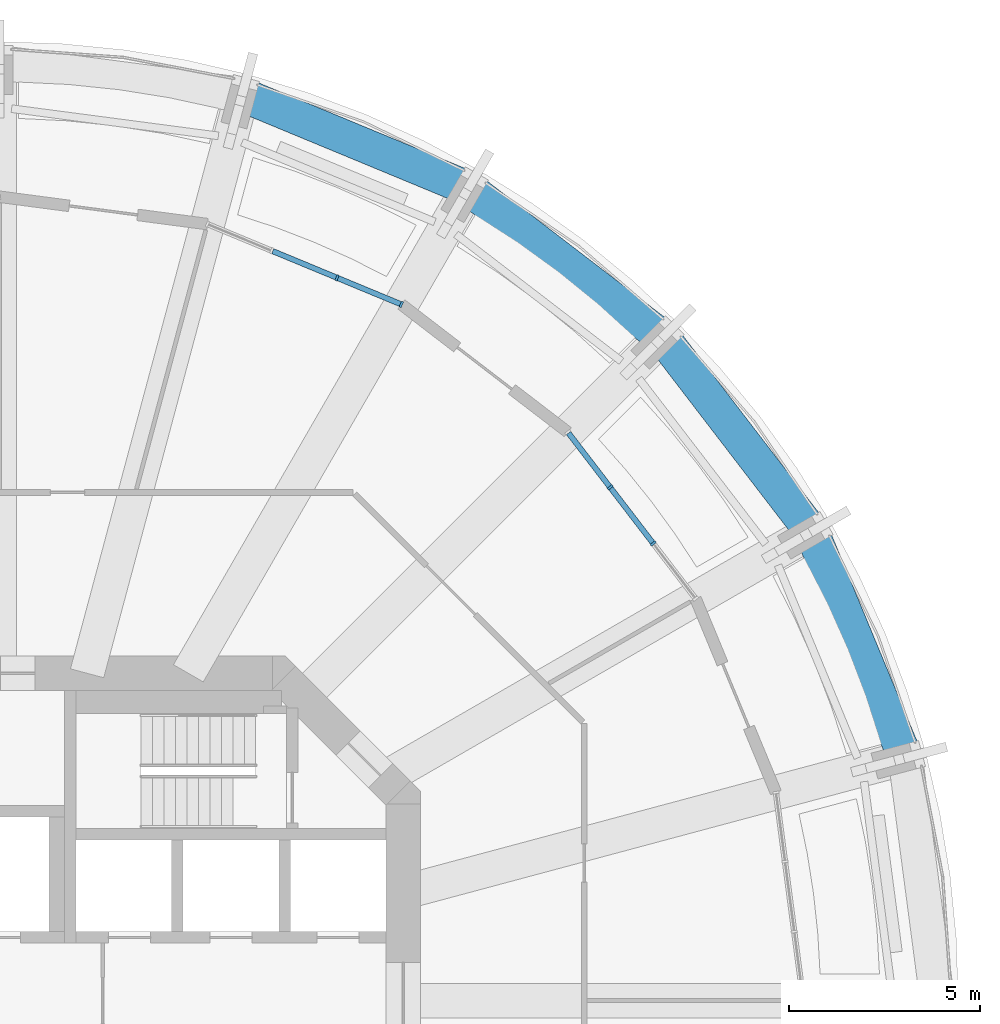
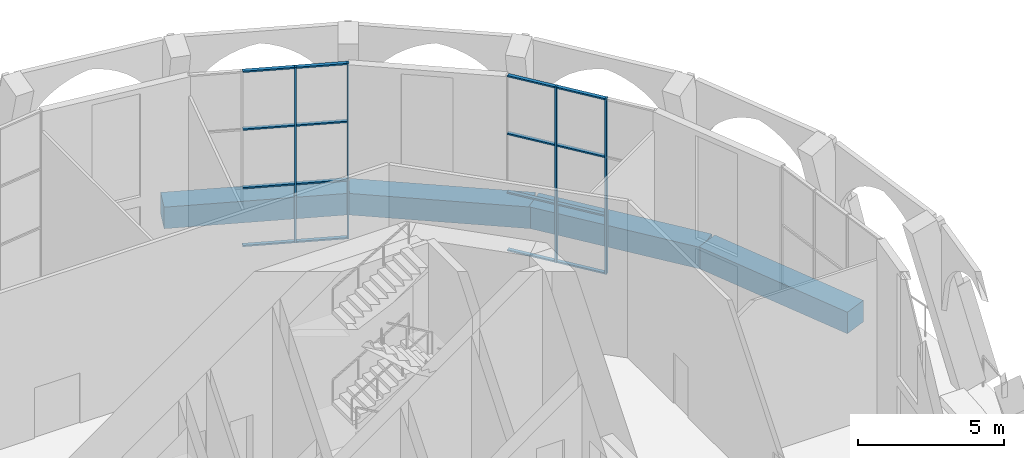
# One storey, part 8 of 18: 20 members, 4 beams, 2 elements without a shape of their own.
"""IFC4 building model written with IfcOpenShell, lengths in metres."""

from ifc_helpers import new_model, si_unit, direction, frame, origin, origin_2d, place, context, subcontext, project, spatial, rectangle, extrude, material, material_profile, profile_set, type_object, element, aggregate, save


model = new_model("IFC4")

# Units and contexts
model_context = context("Model", 3, precision=1e-05, world=origin(), true_north=direction((0.0, 1.0)))
body_context = subcontext(model_context, "Body", "Model", "MODEL_VIEW")
ifc_project = project(units=[si_unit("LENGTHUNIT", "METRE"), si_unit("AREAUNIT", "SQUARE_METRE"), si_unit("VOLUMEUNIT", "CUBIC_METRE"), si_unit("PLANEANGLEUNIT", "RADIAN"), si_unit("MASSUNIT", "GRAM", prefix="KILO")], contexts=[model_context])

# Site, building, storey
site_placement = place(None, origin())
site = spatial("IfcSite", under=ifc_project, at=site_placement, CompositionType="ELEMENT")
building_placement = place(site_placement, origin())
building = spatial("IfcBuilding", under=site, at=building_placement, Name="Torre Triforio", CompositionType="ELEMENT")
storey_placement = place(building_placement, frame((0.0, 0.0, 146.60009765625)))
storey = spatial("IfcBuildingStorey", under=building, at=storey_placement, Name="L33", CompositionType="ELEMENT", Elevation=146.60009765625)

# Curtain wall, members
ifc_material_1 = material(Name="Aluminium mullion and transom frame with clear laminated glass", Category="aluminium")
curtain_wall_type = type_object("IfcCurtainWallType", Name="Sky garden conservatory wall ECW3", PredefinedType="NOTDEFINED", material=ifc_material_1)
curtain_wall_1_placement = place(storey_placement, origin())
curtain_wall_1 = element("IfcCurtainWall", 1, at=curtain_wall_1_placement, inside=storey, type_object=curtain_wall_type, Name="Conservatory wall L33 bay 03", PredefinedType="NOTDEFINED")
ifc_material_2 = material(Name="Anodised aluminium extrusion", Category="aluminium")
ifc_material_profile_1 = material_profile(ifc_material_2, rectangle(XDim=0.159912109375, YDim=0.06005859375, at=origin_2d()), Name="ECW3 MULLION 60x160")
ifc_profile_set_1 = profile_set([ifc_material_profile_1], Name="Anodised aluminium extrusion")
member_type_1 = type_object("IfcMemberType", Name="ECW3 mullion 60 x 160", PredefinedType="MULLION", material=ifc_profile_set_1)
member_1_placement = place(storey_placement, frame((17.080078125, 11.94189453125, 0.0), z_axis=(0.0, 0.0, 1.0), x_axis=(-0.793351885029, -0.608763325538, 0.0)))
member_1 = element("IfcMember", 2, at=member_1_placement, type_object=member_type_1, Name="ECW3 mullion 2", PredefinedType="MULLION", context=body_context, shape_type="SweptSolid", body=[
    extrude(rectangle(XDim=0.159912109375, YDim=0.06005859375, at=origin_2d()), origin(), (0.0, 0.0, 1.0), 7.31982421875),
])
member_2_placement = place(storey_placement, frame((15.95556640625, 13.407470703125, 0.0), z_axis=(0.0, 0.0, 1.0), x_axis=(-0.793351885029, -0.608763325538, 0.0)))
member_2 = element("IfcMember", 3, at=member_2_placement, type_object=member_type_1, Name="ECW3 mullion 3", PredefinedType="MULLION", context=body_context, shape_type="SweptSolid", body=[
    extrude(rectangle(XDim=0.159912109375, YDim=0.06005859375, at=origin_2d()), origin(), (0.0, 0.0, 1.0), 7.31982421875),
])

curtain_wall_2_placement = place(storey_placement, origin())
curtain_wall_2 = element("IfcCurtainWall", 4, at=curtain_wall_2_placement, inside=storey, type_object=curtain_wall_type, Name="Conservatory wall L33 bay 05", PredefinedType="NOTDEFINED")
member_3_placement = place(storey_placement, frame((10.5, 18.1865234375, 0.0), z_axis=(0.0, 0.0, 1.0), x_axis=(-0.382674764107, -0.923883122974, 0.0)))
member_3 = element("IfcMember", 5, at=member_3_placement, type_object=member_type_1, Name="ECW3 mullion 1", PredefinedType="MULLION", context=body_context, shape_type="SweptSolid", body=[
    extrude(rectangle(XDim=0.159912109375, YDim=0.06005859375, at=origin_2d()), origin(), (0.0, 0.0, 1.0), 7.31982421875),
])
member_4_placement = place(storey_placement, frame((8.821044921875, 18.882080078125, 0.0), z_axis=(0.0, 0.0, 1.0), x_axis=(-0.382674764107, -0.923883122974, 0.0)))
member_4 = element("IfcMember", 6, at=member_4_placement, type_object=member_type_1, Name="ECW3 mullion 2", PredefinedType="MULLION", context=body_context, shape_type="SweptSolid", body=[
    extrude(rectangle(XDim=0.159912109375, YDim=0.06005859375, at=origin_2d()), origin(), (0.0, 0.0, 1.0), 7.31982421875),
])

# Member
ifc_material_profile_2 = material_profile(ifc_material_2, rectangle(XDim=0.139892578125, YDim=0.06005859375, at=origin_2d()), Name="ECW3 TRANSOM 60x140")
ifc_profile_set_2 = profile_set([ifc_material_profile_2], Name="Anodised aluminium extrusion")
member_type_2 = type_object("IfcMemberType", Name="ECW3 transom 60 x 140", PredefinedType="USERDEFINED", material=ifc_profile_set_2)
member_5_placement = place(storey_placement, frame((17.06201171875, 11.965576171875, 0.02978515625), z_axis=(-0.608792795973, 0.793329270588, 0.0), x_axis=(-0.793329270588, -0.608792795973, 0.0)))
member_5 = element("IfcMember", 7, at=member_5_placement, type_object=member_type_2, Name="ECW3 transom 2.1", ObjectType="TRANSOM", PredefinedType="USERDEFINED", context=body_context, shape_type="SweptSolid", body=[
    extrude(rectangle(XDim=0.139892578125, YDim=0.06005859375, at=origin_2d()), origin(), (0.0, 0.0, 1.0), 1.787353515625),
])

member_6_placement = place(storey_placement, frame((17.06201171875, 11.965576171875, 2.43994140625), z_axis=(-0.608792795973, 0.793329270588, 0.0), x_axis=(-0.793329270588, -0.608792795973, 0.0)))
member_6 = element("IfcMember", 8, at=member_6_placement, type_object=member_type_2, Name="ECW3 transom 2.2", ObjectType="TRANSOM", PredefinedType="USERDEFINED", context=body_context, shape_type="SweptSolid", body=[
    extrude(rectangle(XDim=0.139892578125, YDim=0.06005859375, at=origin_2d()), origin(), (0.0, 0.0, 1.0), 1.787353515625),
])

member_7_placement = place(storey_placement, frame((17.06201171875, 11.965576171875, 4.8798828125), z_axis=(-0.608792795973, 0.793329270588, 0.0), x_axis=(-0.793329270588, -0.608792795973, 0.0)))
member_7 = element("IfcMember", 9, at=member_7_placement, type_object=member_type_2, Name="ECW3 transom 2.3", ObjectType="TRANSOM", PredefinedType="USERDEFINED", context=body_context, shape_type="SweptSolid", body=[
    extrude(rectangle(XDim=0.139892578125, YDim=0.06005859375, at=origin_2d()), origin(), (0.0, 0.0, 1.0), 1.787353515625),
])

member_8_placement = place(storey_placement, frame((17.06201171875, 11.965576171875, 7.289794921875), z_axis=(-0.608792795973, 0.793329270588, 0.0), x_axis=(-0.793329270588, -0.608792795973, 0.0)))
member_8 = element("IfcMember", 10, at=member_8_placement, type_object=member_type_2, Name="ECW3 transom 2.4", ObjectType="TRANSOM", PredefinedType="USERDEFINED", context=body_context, shape_type="SweptSolid", body=[
    extrude(rectangle(XDim=0.139892578125, YDim=0.06005859375, at=origin_2d()), origin(), (0.0, 0.0, 1.0), 1.787353515625),
])

member_9_placement = place(storey_placement, frame((15.937255859375, 13.43115234375, 0.02978515625), z_axis=(-0.60874355425, 0.793367055756, 0.0), x_axis=(-0.793367055756, -0.60874355425, 0.0)))
member_9 = element("IfcMember", 11, at=member_9_placement, type_object=member_type_2, Name="ECW3 transom 3.1", ObjectType="TRANSOM", PredefinedType="USERDEFINED", context=body_context, shape_type="SweptSolid", body=[
    extrude(rectangle(XDim=0.139892578125, YDim=0.06005859375, at=origin_2d()), origin(), (0.0, 0.0, 1.0), 1.75732421875),
])

member_10_placement = place(storey_placement, frame((15.937255859375, 13.43115234375, 2.43994140625), z_axis=(-0.60874355425, 0.793367055756, 0.0), x_axis=(-0.793367055756, -0.60874355425, 0.0)))
member_10 = element("IfcMember", 12, at=member_10_placement, type_object=member_type_2, Name="ECW3 transom 3.2", ObjectType="TRANSOM", PredefinedType="USERDEFINED", context=body_context, shape_type="SweptSolid", body=[
    extrude(rectangle(XDim=0.139892578125, YDim=0.06005859375, at=origin_2d()), origin(), (0.0, 0.0, 1.0), 1.75732421875),
])

member_11_placement = place(storey_placement, frame((15.937255859375, 13.43115234375, 4.8798828125), z_axis=(-0.60874355425, 0.793367055756, 0.0), x_axis=(-0.793367055756, -0.60874355425, 0.0)))
member_11 = element("IfcMember", 13, at=member_11_placement, type_object=member_type_2, Name="ECW3 transom 3.3", ObjectType="TRANSOM", PredefinedType="USERDEFINED", context=body_context, shape_type="SweptSolid", body=[
    extrude(rectangle(XDim=0.139892578125, YDim=0.06005859375, at=origin_2d()), origin(), (0.0, 0.0, 1.0), 1.75732421875),
])

member_12_placement = place(storey_placement, frame((15.937255859375, 13.43115234375, 7.289794921875), z_axis=(-0.60874355425, 0.793367055756, 0.0), x_axis=(-0.793367055756, -0.60874355425, 0.0)))
member_12 = element("IfcMember", 14, at=member_12_placement, type_object=member_type_2, Name="ECW3 transom 3.4", ObjectType="TRANSOM", PredefinedType="USERDEFINED", context=body_context, shape_type="SweptSolid", body=[
    extrude(rectangle(XDim=0.139892578125, YDim=0.06005859375, at=origin_2d()), origin(), (0.0, 0.0, 1.0), 1.75732421875),
])

aggregate(curtain_wall_1, [member_1, member_2, member_5, member_6, member_7, member_8, member_9, member_10, member_11, member_12])

member_13_placement = place(storey_placement, frame((10.47216796875, 18.197998046875, 0.02978515625), z_axis=(-0.923855963606, 0.38274032778, 0.0), x_axis=(-0.38274032778, -0.923855963606, 0.0)))
member_13 = element("IfcMember", 15, at=member_13_placement, type_object=member_type_2, Name="ECW3 transom 1.1", ObjectType="TRANSOM", PredefinedType="USERDEFINED", context=body_context, shape_type="SweptSolid", body=[
    extrude(rectangle(XDim=0.139892578125, YDim=0.06005859375, at=origin_2d()), origin(), (0.0, 0.0, 1.0), 1.75732421875),
])

member_14_placement = place(storey_placement, frame((10.47216796875, 18.197998046875, 2.43994140625), z_axis=(-0.923855963606, 0.38274032778, 0.0), x_axis=(-0.38274032778, -0.923855963606, 0.0)))
member_14 = element("IfcMember", 16, at=member_14_placement, type_object=member_type_2, Name="ECW3 transom 1.2", ObjectType="TRANSOM", PredefinedType="USERDEFINED", context=body_context, shape_type="SweptSolid", body=[
    extrude(rectangle(XDim=0.139892578125, YDim=0.06005859375, at=origin_2d()), origin(), (0.0, 0.0, 1.0), 1.75732421875),
])

member_15_placement = place(storey_placement, frame((10.47216796875, 18.197998046875, 4.8798828125), z_axis=(-0.923855963606, 0.38274032778, 0.0), x_axis=(-0.38274032778, -0.923855963606, 0.0)))
member_15 = element("IfcMember", 17, at=member_15_placement, type_object=member_type_2, Name="ECW3 transom 1.3", ObjectType="TRANSOM", PredefinedType="USERDEFINED", context=body_context, shape_type="SweptSolid", body=[
    extrude(rectangle(XDim=0.139892578125, YDim=0.06005859375, at=origin_2d()), origin(), (0.0, 0.0, 1.0), 1.75732421875),
])

member_16_placement = place(storey_placement, frame((10.47216796875, 18.197998046875, 7.289794921875), z_axis=(-0.923855963606, 0.38274032778, 0.0), x_axis=(-0.38274032778, -0.923855963606, 0.0)))
member_16 = element("IfcMember", 18, at=member_16_placement, type_object=member_type_2, Name="ECW3 transom 1.4", ObjectType="TRANSOM", PredefinedType="USERDEFINED", context=body_context, shape_type="SweptSolid", body=[
    extrude(rectangle(XDim=0.139892578125, YDim=0.06005859375, at=origin_2d()), origin(), (0.0, 0.0, 1.0), 1.75732421875),
])

member_17_placement = place(storey_placement, frame((8.793212890625, 18.8935546875, 0.02978515625), z_axis=(-0.923915291126, 0.382597092023, 0.0), x_axis=(-0.382597092023, -0.923915291126, 0.0)))
member_17 = element("IfcMember", 19, at=member_17_placement, type_object=member_type_2, Name="ECW3 transom 2.1", ObjectType="TRANSOM", PredefinedType="USERDEFINED", context=body_context, shape_type="SweptSolid", body=[
    extrude(rectangle(XDim=0.139892578125, YDim=0.06005859375, at=origin_2d()), origin(), (0.0, 0.0, 1.0), 1.787353515625),
])

member_18_placement = place(storey_placement, frame((8.793212890625, 18.8935546875, 2.43994140625), z_axis=(-0.923915291126, 0.382597092023, 0.0), x_axis=(-0.382597092023, -0.923915291126, 0.0)))
member_18 = element("IfcMember", 20, at=member_18_placement, type_object=member_type_2, Name="ECW3 transom 2.2", ObjectType="TRANSOM", PredefinedType="USERDEFINED", context=body_context, shape_type="SweptSolid", body=[
    extrude(rectangle(XDim=0.139892578125, YDim=0.06005859375, at=origin_2d()), origin(), (0.0, 0.0, 1.0), 1.787353515625),
])

member_19_placement = place(storey_placement, frame((8.793212890625, 18.8935546875, 4.8798828125), z_axis=(-0.923915291126, 0.382597092023, 0.0), x_axis=(-0.382597092023, -0.923915291126, 0.0)))
member_19 = element("IfcMember", 21, at=member_19_placement, type_object=member_type_2, Name="ECW3 transom 2.3", ObjectType="TRANSOM", PredefinedType="USERDEFINED", context=body_context, shape_type="SweptSolid", body=[
    extrude(rectangle(XDim=0.139892578125, YDim=0.06005859375, at=origin_2d()), origin(), (0.0, 0.0, 1.0), 1.787353515625),
])

member_20_placement = place(storey_placement, frame((8.793212890625, 18.8935546875, 7.289794921875), z_axis=(-0.923915291126, 0.382597092023, 0.0), x_axis=(-0.382597092023, -0.923915291126, 0.0)))
member_20 = element("IfcMember", 22, at=member_20_placement, type_object=member_type_2, Name="ECW3 transom 2.4", ObjectType="TRANSOM", PredefinedType="USERDEFINED", context=body_context, shape_type="SweptSolid", body=[
    extrude(rectangle(XDim=0.139892578125, YDim=0.06005859375, at=origin_2d()), origin(), (0.0, 0.0, 1.0), 1.787353515625),
])

aggregate(curtain_wall_2, [member_3, member_4, member_13, member_14, member_15, member_16, member_17, member_18, member_19, member_20])

# Beams
ifc_material_3 = material(Name="Concrete C50", Category="concrete")
ifc_material_profile_3 = material_profile(ifc_material_3, rectangle(XDim=0.89990234375, YDim=0.89990234375, at=origin_2d()), Name="RC 900x900")
ifc_profile_set_3 = profile_set([ifc_material_profile_3], Name="Concrete C50")
beam_type = type_object("IfcBeamType", Name="Spandrel beam RC 900x900 C50", PredefinedType="SPANDREL", material=ifc_profile_set_3)
for number, where, z_axis, x_axis, name in (
    (23, (23.665283203125, 6.341064453125, -0.72998046875), (-0.382709143949, 0.923868882006, 0.0), (-0.923868882006, -0.382709143949, 0.0), "BM.S.L33.01"),
    (24, (21.217529296875, 12.25, -0.72998046875), (-0.60873442055, 0.79337406388, 0.0), (-0.79337406388, -0.60873442055, 0.0), "BM.S.L33.02"),
    (25, (17.32421875, 17.32421875, -0.72998046875), (-0.79337406388, 0.60873442055, 0.0), (-0.60873442055, -0.79337406388, 0.0), "BM.S.L33.03"),
    (26, (12.25, 21.217529296875, -0.72998046875), (-0.923868882006, 0.382709143949, 0.0), (-0.382709143949, -0.923868882006, 0.0), "BM.S.L33.04"),
):
    element("IfcBeam", number, at=place(storey_placement, frame(where, z_axis=z_axis, x_axis=x_axis)), inside=storey, type_object=beam_type, Name=name, PredefinedType="SPANDREL", context=body_context, shape_type="SweptSolid", body=[
        extrude(rectangle(XDim=0.89990234375, YDim=0.89990234375, at=origin_2d()), origin(), (0.0, 0.0, 1.0), 6.395751953125),
    ])

save(model, "model.ifc")
